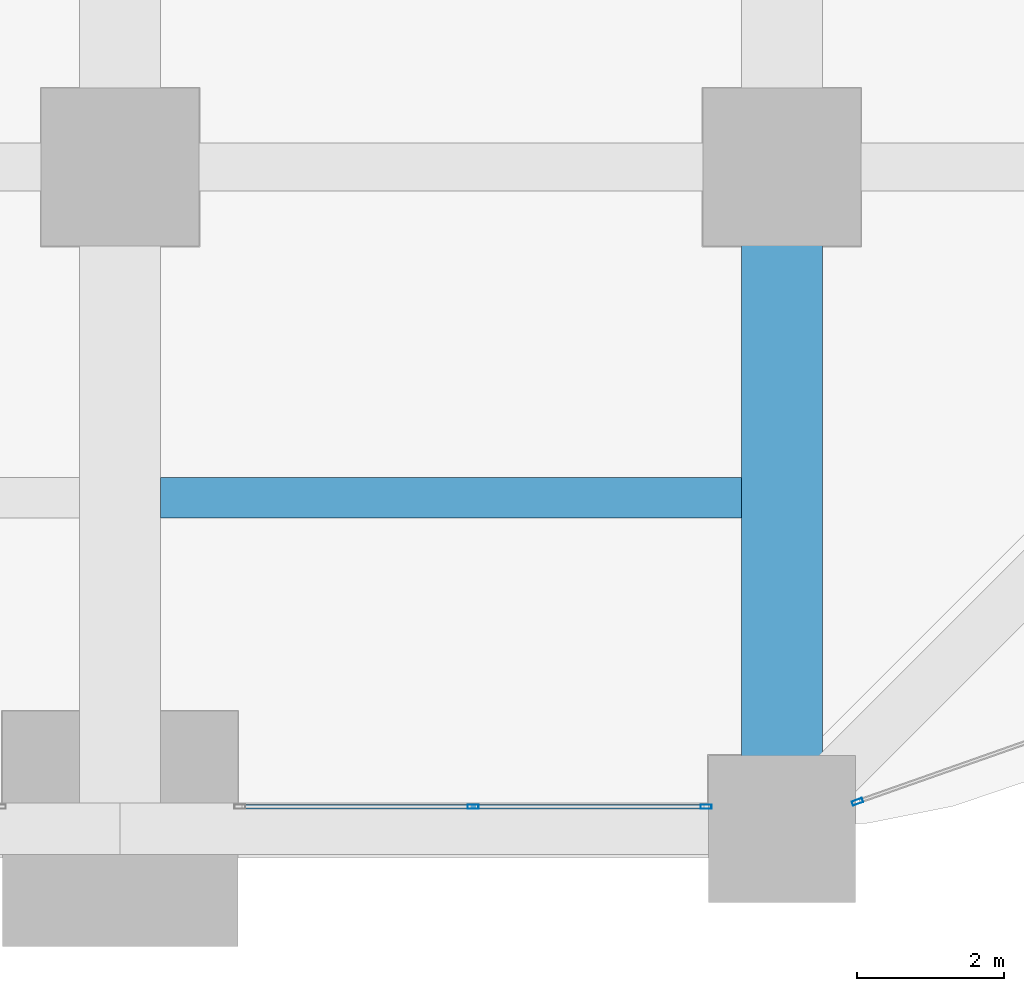
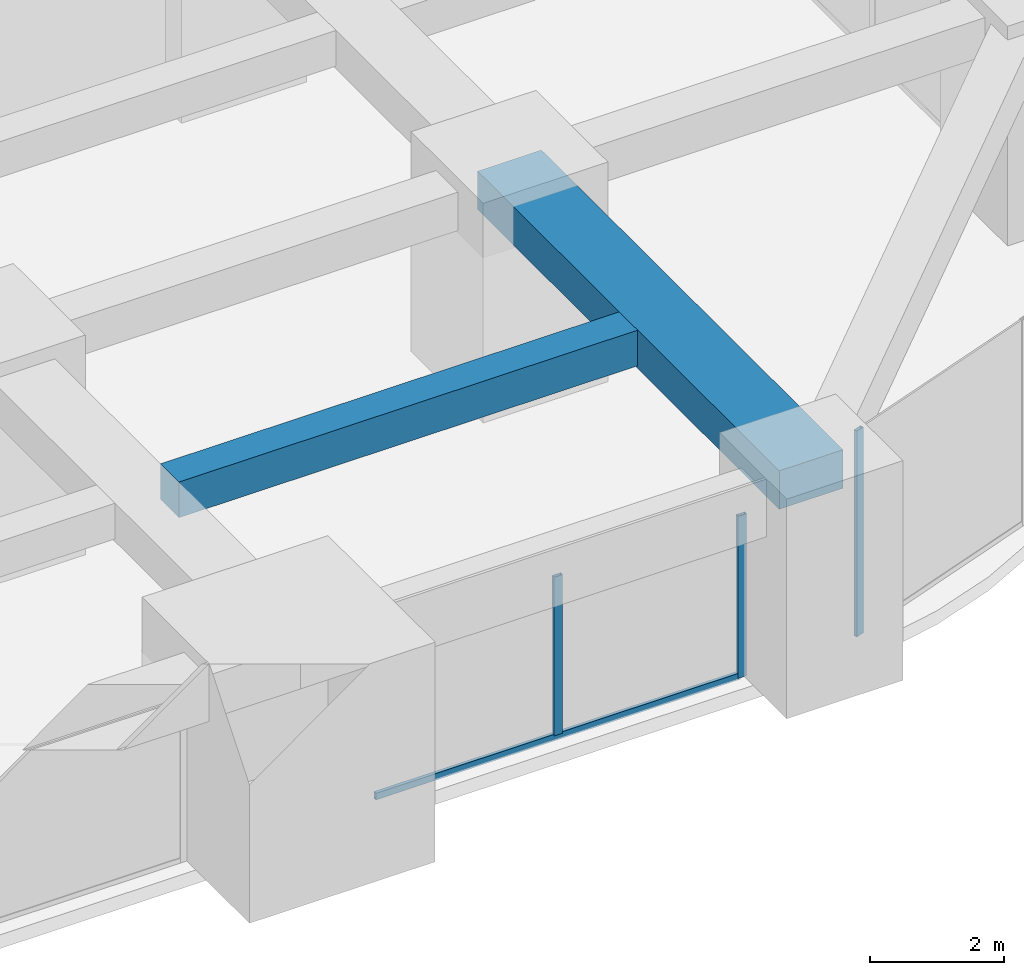
# One storey, part 16 of 41: 4 members, 2 beams, 2 elements without a shape of their own.
"""IFC4 building model written with IfcOpenShell, lengths in metres."""

from ifc_helpers import new_model, si_unit, direction, frame, origin, origin_2d, place, context, subcontext, project, spatial, rectangle, hollow_rectangle, extrude, material, material_profile, profile_set, type_object, element, aggregate, save


model = new_model("IFC4")

# Units and contexts
model_context = context("Model", 3, precision=1e-05, world=origin(), true_north=direction((0.0, 1.0)))
body_context = subcontext(model_context, "Body", "Model", "MODEL_VIEW")
ifc_project = project(units=[si_unit("LENGTHUNIT", "METRE"), si_unit("AREAUNIT", "SQUARE_METRE"), si_unit("VOLUMEUNIT", "CUBIC_METRE"), si_unit("PLANEANGLEUNIT", "RADIAN"), si_unit("MASSUNIT", "GRAM", prefix="KILO")], contexts=[model_context])

# Site, building, storey
site_placement = place(None, origin())
site = spatial("IfcSite", under=ifc_project, at=site_placement, CompositionType="ELEMENT")
building_placement = place(site_placement, origin())
building = spatial("IfcBuilding", under=site, at=building_placement, Name="Zorevar Civic Tower", CompositionType="ELEMENT")
storey_placement = place(building_placement, frame((0.0, 0.0, 89.0)))
storey = spatial("IfcBuildingStorey", under=building, at=storey_placement, Name="L21", CompositionType="ELEMENT", Elevation=89.0)

# Beams
ifc_material_1 = material(Name="Concrete C50/60", Category="concrete")
ifc_material_profile_1 = material_profile(ifc_material_1, rectangle(XDim=1.10009765625, YDim=0.699951171875, at=origin_2d()), Name="RC 1100x700")
ifc_profile_set_1 = profile_set([ifc_material_profile_1], Name="Concrete C50/60")
beam_type_1 = type_object("IfcBeamType", Name="Beam RC 1100x700", PredefinedType="BEAM", material=ifc_profile_set_1)
beam_1_placement = place(storey_placement, frame((54.0, 0.0, 3.39990234375), z_axis=(0.0, 1.0, 0.0), x_axis=(-1.0, 0.0, 0.0)))
element("IfcBeam", 1, at=beam_1_placement, inside=storey, type_object=beam_type_1, Name="Girder L22", PredefinedType="BEAM", context=body_context, shape_type="SweptSolid", body=[
    extrude(rectangle(XDim=1.10009765625, YDim=0.699951171875, at=origin_2d()), origin(), (0.0, 0.0, 1.0), 9.0),
])
ifc_material_2 = material(Name="Concrete C50/60", Category="concrete")
ifc_material_profile_2 = material_profile(ifc_material_2, rectangle(XDim=0.550048828125, YDim=0.64990234375, at=origin_2d()), Name="RC 550x650")
ifc_profile_set_2 = profile_set([ifc_material_profile_2], Name="Concrete C50/60")
beam_type_2 = type_object("IfcBeamType", Name="Beam RC 550x650", PredefinedType="BEAM", material=ifc_profile_set_2)
beam_2_placement = place(storey_placement, frame((45.550048828125, 4.5, 3.425048828125), z_axis=(1.0, 0.0, 0.0), x_axis=(0.0, 1.0, 0.0)))
element("IfcBeam", 2, at=beam_2_placement, inside=storey, type_object=beam_type_2, Name="Secondary beam L22", PredefinedType="BEAM", context=body_context, shape_type="SweptSolid", body=[
    extrude(rectangle(XDim=0.550048828125, YDim=0.64990234375, at=origin_2d()), origin(), (0.0, 0.0, 1.0), 7.89990234375),
])

# Curtain wall, members
ifc_material_3 = material(Name="Dark grey solar-control glass in black aluminium frame", Category="aluminium")
curtain_wall_type = type_object("IfcCurtainWallType", Name="Curtain wall CW3 mid zone", PredefinedType="NOTDEFINED", material=ifc_material_3)
curtain_wall_1_placement = place(storey_placement, origin())
curtain_wall_1 = element("IfcCurtainWall", 3, at=curtain_wall_1_placement, inside=storey, type_object=curtain_wall_type, Name="CW3 L21", PredefinedType="NOTDEFINED")
ifc_material_4 = material(Name="Aluminium, black anodised", Category="aluminium")
ifc_material_profile_3 = material_profile(ifc_material_4, hollow_rectangle(XDim=0.06005859375, YDim=0.14990234375, WallThickness=0.00390625, at=origin_2d()), Name="AL 150x60x4")
ifc_profile_set_3 = profile_set([ifc_material_profile_3], Name="Aluminium, black anodised")
member_type_1 = type_object("IfcMemberType", Name="CW3 mullion AL 150x60x4", PredefinedType="MULLION", material=ifc_profile_set_3)
member_1_placement = place(storey_placement, frame((49.800048828125, 0.300048828125, 0.06005859375), z_axis=(0.0, 0.0, 1.0), x_axis=(0.0, 1.0, 0.0)))
member_1 = element("IfcMember", 4, at=member_1_placement, type_object=member_type_1, Name="CW3 mullion 2", PredefinedType="MULLION", context=body_context, shape_type="SweptSolid", body=[
    extrude(hollow_rectangle(XDim=0.06005859375, YDim=0.14990234375, WallThickness=0.00390625, at=origin_2d()), origin(), (0.0, 0.0, 1.0), 2.889892578125),
])
member_2_placement = place(storey_placement, frame((52.969970703125, 0.300048828125, 0.0), z_axis=(0.0, 0.0, 1.0), x_axis=(0.0, 1.0, 0.0)))
member_2 = element("IfcMember", 5, at=member_2_placement, type_object=member_type_1, Name="CW3 mullion 3", PredefinedType="MULLION", context=body_context, shape_type="SweptSolid", body=[
    extrude(hollow_rectangle(XDim=0.06005859375, YDim=0.14990234375, WallThickness=0.00390625, at=origin_2d()), origin(), (0.0, 0.0, 1.0), 2.949951171875),
])

# Curtain wall, member
curtain_wall_2_placement = place(storey_placement, origin())
curtain_wall_2 = element("IfcCurtainWall", 6, at=curtain_wall_2_placement, inside=storey, type_object=curtain_wall_type, Name="CW3 L21", PredefinedType="NOTDEFINED")
member_3_placement = place(storey_placement, frame((55.0283203125, 0.36767578125, 0.0), z_axis=(0.0, 0.0, 1.0), x_axis=(-0.33217121332, 0.943219107653, 0.0)))
member_3 = element("IfcMember", 7, at=member_3_placement, type_object=member_type_1, Name="CW3 mullion 1", PredefinedType="MULLION", context=body_context, shape_type="SweptSolid", body=[
    extrude(hollow_rectangle(XDim=0.06005859375, YDim=0.14990234375, WallThickness=0.00390625, at=origin_2d()), origin(), (0.0, 0.0, 1.0), 3.75),
])
aggregate(curtain_wall_2, [member_3])

# Member
ifc_material_5 = material(Name="Aluminium, black anodised", Category="aluminium")
ifc_material_profile_4 = material_profile(ifc_material_5, hollow_rectangle(XDim=0.06005859375, YDim=0.1201171875, WallThickness=0.0029296875, at=origin_2d()), Name="AL 120x60x3")
ifc_profile_set_4 = profile_set([ifc_material_profile_4], Name="Aluminium, black anodised")
member_type_2 = type_object("IfcMemberType", Name="CW3 transom AL 120x60x3", PredefinedType="USERDEFINED", material=ifc_profile_set_4)
member_4_placement = place(storey_placement, frame((46.659912109375, 0.300048828125, 0.030029296875), z_axis=(1.0, 0.0, 0.0), x_axis=(0.0, 1.0, 0.0)))
member_4 = element("IfcMember", 8, at=member_4_placement, type_object=member_type_2, Name="CW3 sill transom", ObjectType="TRANSOM", PredefinedType="USERDEFINED", context=body_context, shape_type="SweptSolid", body=[
    extrude(hollow_rectangle(XDim=0.06005859375, YDim=0.1201171875, WallThickness=0.0029296875, at=origin_2d()), origin(), (0.0, 0.0, 1.0), 6.280029296875),
])

aggregate(curtain_wall_1, [member_1, member_2, member_4])

save(model, "model.ifc")
